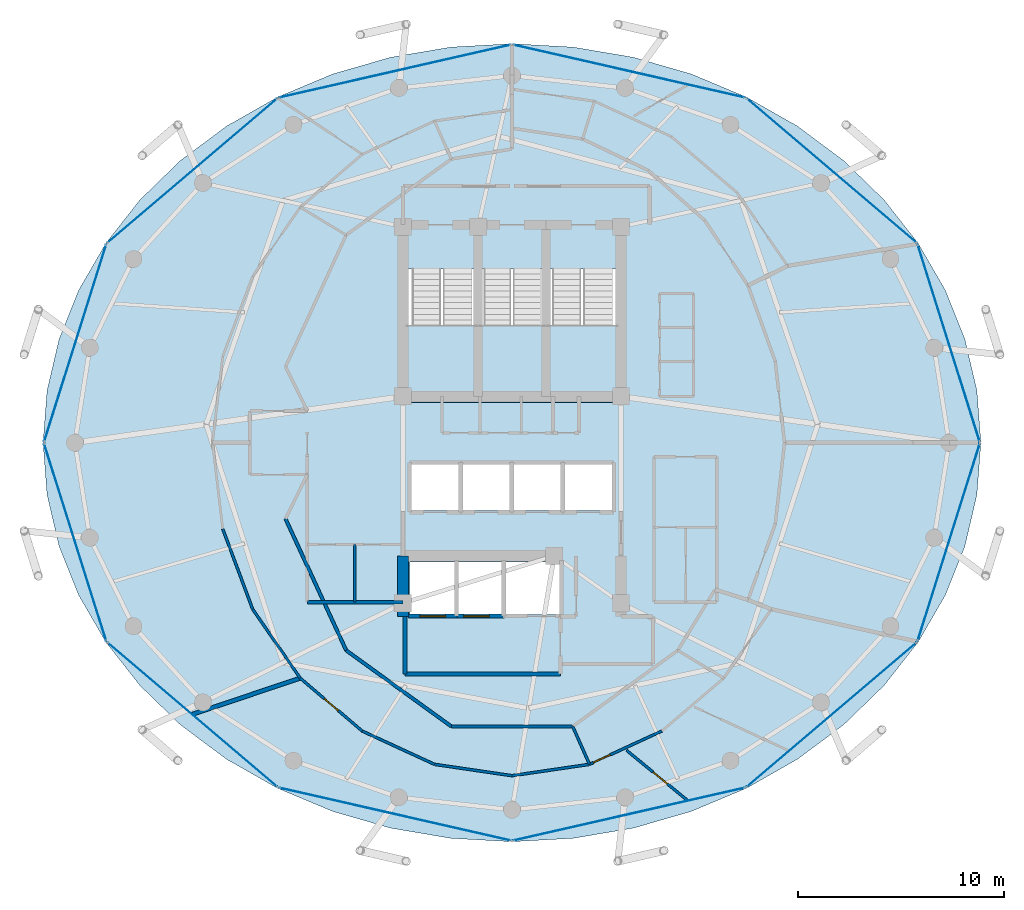
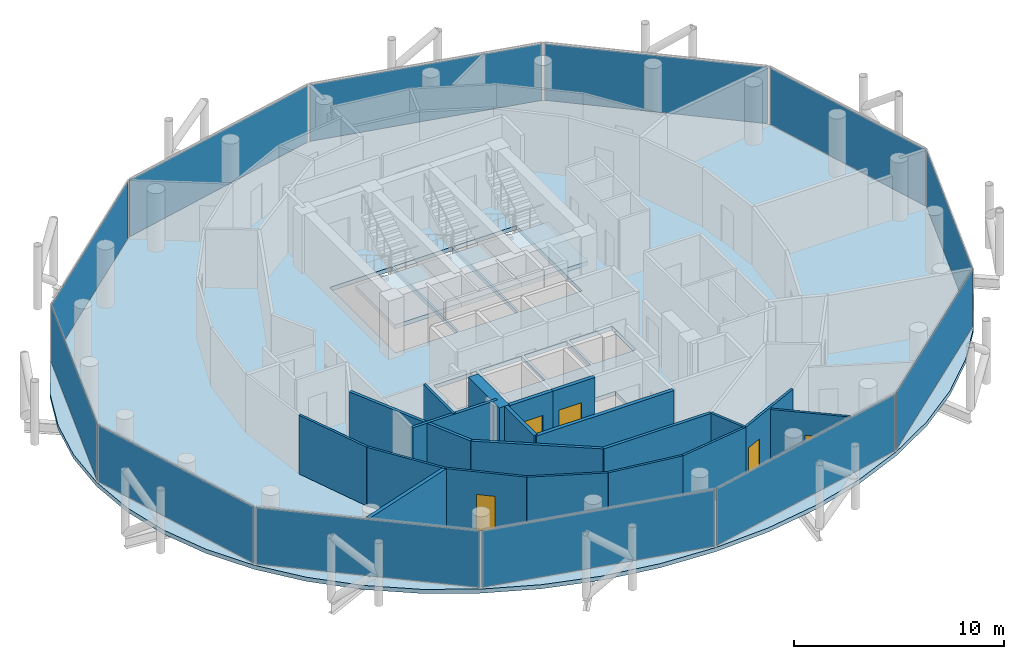
# One storey, part 22 of 27: 20 walls, 12 plates, 5 doors, 4 slabs, 5 openings, 15 elements without a shape of their own.
"""IFC4 building model written with IfcOpenShell, lengths in metres."""

from ifc_helpers import new_model, si_unit, direction, frame, frame_2d, origin, origin_2d, place, context, subcontext, project, spatial, polyline, rectangle, outline, extrude, material, layer, layer_set, type_object, element, fill, aggregate, save


model = new_model("IFC4")

# Units and contexts
model_context = context("Model", 3, precision=1e-05, world=origin(), true_north=direction((0.0, 1.0)))
body_context = subcontext(model_context, "Body", "Model", "MODEL_VIEW")
ifc_project = project(units=[si_unit("LENGTHUNIT", "METRE"), si_unit("AREAUNIT", "SQUARE_METRE"), si_unit("VOLUMEUNIT", "CUBIC_METRE"), si_unit("PLANEANGLEUNIT", "RADIAN"), si_unit("MASSUNIT", "GRAM", prefix="KILO")], contexts=[model_context])

# Site, building, storey
site_placement = place(None, origin())
site = spatial("IfcSite", under=ifc_project, at=site_placement, CompositionType="ELEMENT")
building_placement = place(site_placement, origin())
building = spatial("IfcBuilding", under=site, at=building_placement, Name="Nuhasar Tower", CompositionType="ELEMENT")
storey_placement = place(building_placement, frame((0.0, 0.0, 233.699951171875)))
storey = spatial("IfcBuildingStorey", under=building, at=storey_placement, Name="L57", CompositionType="ELEMENT", Elevation=233.699951171875)

# Curtain wall, plate
ifc_material_1 = material(Name="Aluminium 6063-T6", Category="aluminium")
ifc_layer_1 = layer(ifc_material_1, 0.18994140625)
ifc_layer_set_1 = layer_set([ifc_layer_1], Name="Aluminium 6063-T6")
curtain_wall_type = type_object("IfcCurtainWallType", Name="CW-Z3-RES", PredefinedType="NOTDEFINED", material=ifc_layer_set_1)
curtain_wall_1_placement = place(storey_placement, origin())
curtain_wall_1 = element("IfcCurtainWall", 1, at=curtain_wall_1_placement, inside=storey, type_object=curtain_wall_type, Name="L57 Unitised Curtain Wall 01", PredefinedType="NOTDEFINED")
ifc_material_2 = material(Name="Glass Double Low-E", Category="glass")
ifc_layer_2 = layer(ifc_material_2, 0.028076171875)
ifc_layer_set_2 = layer_set([ifc_layer_2], Name="Glass Double Low-E")
plate_type = type_object("IfcPlateType", Name="CW-PANEL-GLZ", PredefinedType="CURTAIN_PANEL", material=ifc_layer_set_2)
plate_1_placement = place(storey_placement, frame((60.235595703125, 31.639892578125, 0.06494140625), z_axis=(0.0, 0.0, 1.0), x_axis=(-0.30042864553, 0.95380429279, 0.0)))
plate_1 = element("IfcPlate", 2, at=plate_1_placement, type_object=plate_type, Name="CW-Z3 panel 1.1", PredefinedType="CURTAIN_PANEL", context=body_context, shape_type="SweptSolid", body=[
    extrude(rectangle(XDim=10.018798828125, YDim=0.028076171875, at=origin_2d()), origin(), (0.0, 0.0, 1.0), 3.280029296875),
])
aggregate(curtain_wall_1, [plate_1])

curtain_wall_2_placement = place(storey_placement, origin())
curtain_wall_2 = element("IfcCurtainWall", 3, at=curtain_wall_2_placement, inside=storey, type_object=curtain_wall_type, Name="L57 Unitised Curtain Wall 02", PredefinedType="NOTDEFINED")
plate_2_placement = place(storey_placement, frame((54.54541015625, 40.02294921875, 0.06494140625), z_axis=(0.0, 0.0, 1.0), x_axis=(-0.761729472562, 0.64789521578, 0.0)))
plate_2 = element("IfcPlate", 4, at=plate_2_placement, type_object=plate_type, Name="CW-Z3 panel 1.1", PredefinedType="CURTAIN_PANEL", context=body_context, shape_type="SweptSolid", body=[
    extrude(rectangle(XDim=10.806884765625, YDim=0.028076171875, at=origin_2d()), origin(), (0.0, 0.0, 1.0), 3.280029296875),
])
aggregate(curtain_wall_2, [plate_2])

curtain_wall_3_placement = place(storey_placement, origin())
curtain_wall_3 = element("IfcCurtainWall", 5, at=curtain_wall_3_placement, inside=storey, type_object=curtain_wall_type, Name="L57 Unitised Curtain Wall 03", PredefinedType="NOTDEFINED")
plate_3_placement = place(storey_placement, frame((44.68994140625, 44.863037109375, 0.06494140625), z_axis=(0.0, 0.0, 1.0), x_axis=(-0.974991266926, 0.222243176313, 0.0)))
plate_3 = element("IfcPlate", 6, at=plate_3_placement, type_object=plate_type, Name="CW-Z3 panel 1.1", PredefinedType="CURTAIN_PANEL", context=body_context, shape_type="SweptSolid", body=[
    extrude(rectangle(XDim=11.5419921875, YDim=0.028076171875, at=origin_2d()), origin(), (0.0, 0.0, 1.0), 3.280029296875),
])
aggregate(curtain_wall_3, [plate_3])

curtain_wall_4_placement = place(storey_placement, origin())
curtain_wall_4 = element("IfcCurtainWall", 7, at=curtain_wall_4_placement, inside=storey, type_object=curtain_wall_type, Name="L57 Unitised Curtain Wall 04", PredefinedType="NOTDEFINED")
plate_4_placement = place(storey_placement, frame((33.31005859375, 44.863037109375, 0.06494140625), z_axis=(0.0, 0.0, 1.0), x_axis=(-0.974991266926, -0.222243176313, 0.0)))
plate_4 = element("IfcPlate", 8, at=plate_4_placement, type_object=plate_type, Name="CW-Z3 panel 1.1", PredefinedType="CURTAIN_PANEL", context=body_context, shape_type="SweptSolid", body=[
    extrude(rectangle(XDim=11.5419921875, YDim=0.028076171875, at=origin_2d()), origin(), (0.0, 0.0, 1.0), 3.280029296875),
])
aggregate(curtain_wall_4, [plate_4])

curtain_wall_5_placement = place(storey_placement, origin())
curtain_wall_5 = element("IfcCurtainWall", 9, at=curtain_wall_5_placement, inside=storey, type_object=curtain_wall_type, Name="L57 Unitised Curtain Wall 05", PredefinedType="NOTDEFINED")
plate_5_placement = place(storey_placement, frame((23.45458984375, 40.02294921875, 0.06494140625), z_axis=(0.0, 0.0, 1.0), x_axis=(-0.761729472562, -0.64789521578, 0.0)))
plate_5 = element("IfcPlate", 10, at=plate_5_placement, type_object=plate_type, Name="CW-Z3 panel 1.1", PredefinedType="CURTAIN_PANEL", context=body_context, shape_type="SweptSolid", body=[
    extrude(rectangle(XDim=10.806884765625, YDim=0.028076171875, at=origin_2d()), origin(), (0.0, 0.0, 1.0), 3.280029296875),
])
aggregate(curtain_wall_5, [plate_5])

curtain_wall_6_placement = place(storey_placement, origin())
curtain_wall_6 = element("IfcCurtainWall", 11, at=curtain_wall_6_placement, inside=storey, type_object=curtain_wall_type, Name="L57 Unitised Curtain Wall 06", PredefinedType="NOTDEFINED")
plate_6_placement = place(storey_placement, frame((17.764404296875, 31.639892578125, 0.06494140625), z_axis=(0.0, 0.0, 1.0), x_axis=(-0.30042864553, -0.95380429279, 0.0)))
plate_6 = element("IfcPlate", 12, at=plate_6_placement, type_object=plate_type, Name="CW-Z3 panel 1.1", PredefinedType="CURTAIN_PANEL", context=body_context, shape_type="SweptSolid", body=[
    extrude(rectangle(XDim=10.018798828125, YDim=0.028076171875, at=origin_2d()), origin(), (0.0, 0.0, 1.0), 3.280029296875),
])
aggregate(curtain_wall_6, [plate_6])

curtain_wall_7_placement = place(storey_placement, origin())
curtain_wall_7 = element("IfcCurtainWall", 13, at=curtain_wall_7_placement, inside=storey, type_object=curtain_wall_type, Name="L57 Unitised Curtain Wall 07", PredefinedType="NOTDEFINED")
plate_7_placement = place(storey_placement, frame((17.764404296875, 21.9599609375, 0.06494140625), z_axis=(0.0, 0.0, 1.0), x_axis=(0.30042864553, -0.95380429279, 0.0)))
plate_7 = element("IfcPlate", 14, at=plate_7_placement, type_object=plate_type, Name="CW-Z3 panel 1.1", PredefinedType="CURTAIN_PANEL", context=body_context, shape_type="SweptSolid", body=[
    extrude(rectangle(XDim=10.018798828125, YDim=0.028076171875, at=origin_2d()), origin(), (0.0, 0.0, 1.0), 3.280029296875),
])
aggregate(curtain_wall_7, [plate_7])

curtain_wall_8_placement = place(storey_placement, origin())
curtain_wall_8 = element("IfcCurtainWall", 15, at=curtain_wall_8_placement, inside=storey, type_object=curtain_wall_type, Name="L57 Unitised Curtain Wall 08", PredefinedType="NOTDEFINED")
plate_8_placement = place(storey_placement, frame((23.45458984375, 13.576904296875, 0.06494140625), z_axis=(0.0, 0.0, 1.0), x_axis=(0.761729472562, -0.64789521578, 0.0)))
plate_8 = element("IfcPlate", 16, at=plate_8_placement, type_object=plate_type, Name="CW-Z3 panel 1.1", PredefinedType="CURTAIN_PANEL", context=body_context, shape_type="SweptSolid", body=[
    extrude(rectangle(XDim=10.806884765625, YDim=0.028076171875, at=origin_2d()), origin(), (0.0, 0.0, 1.0), 3.280029296875),
])
aggregate(curtain_wall_8, [plate_8])

curtain_wall_9_placement = place(storey_placement, origin())
curtain_wall_9 = element("IfcCurtainWall", 17, at=curtain_wall_9_placement, inside=storey, type_object=curtain_wall_type, Name="L57 Unitised Curtain Wall 09", PredefinedType="NOTDEFINED")
plate_9_placement = place(storey_placement, frame((33.31005859375, 8.737060546875, 0.06494140625), z_axis=(0.0, 0.0, 1.0), x_axis=(0.974991266926, -0.222243176313, 0.0)))
plate_9 = element("IfcPlate", 18, at=plate_9_placement, type_object=plate_type, Name="CW-Z3 panel 1.1", PredefinedType="CURTAIN_PANEL", context=body_context, shape_type="SweptSolid", body=[
    extrude(rectangle(XDim=11.5419921875, YDim=0.028076171875, at=origin_2d()), origin(), (0.0, 0.0, 1.0), 3.280029296875),
])
aggregate(curtain_wall_9, [plate_9])

curtain_wall_10_placement = place(storey_placement, origin())
curtain_wall_10 = element("IfcCurtainWall", 19, at=curtain_wall_10_placement, inside=storey, type_object=curtain_wall_type, Name="L57 Unitised Curtain Wall 10", PredefinedType="NOTDEFINED")
plate_10_placement = place(storey_placement, frame((44.68994140625, 8.737060546875, 0.06494140625), z_axis=(0.0, 0.0, 1.0), x_axis=(0.974991266926, 0.222243176313, 0.0)))
plate_10 = element("IfcPlate", 20, at=plate_10_placement, type_object=plate_type, Name="CW-Z3 panel 1.1", PredefinedType="CURTAIN_PANEL", context=body_context, shape_type="SweptSolid", body=[
    extrude(rectangle(XDim=11.5419921875, YDim=0.028076171875, at=origin_2d()), origin(), (0.0, 0.0, 1.0), 3.280029296875),
])
aggregate(curtain_wall_10, [plate_10])

curtain_wall_11_placement = place(storey_placement, origin())
curtain_wall_11 = element("IfcCurtainWall", 21, at=curtain_wall_11_placement, inside=storey, type_object=curtain_wall_type, Name="L57 Unitised Curtain Wall 11", PredefinedType="NOTDEFINED")
plate_11_placement = place(storey_placement, frame((54.54541015625, 13.576904296875, 0.06494140625), z_axis=(0.0, 0.0, 1.0), x_axis=(0.761729472562, 0.64789521578, 0.0)))
plate_11 = element("IfcPlate", 22, at=plate_11_placement, type_object=plate_type, Name="CW-Z3 panel 1.1", PredefinedType="CURTAIN_PANEL", context=body_context, shape_type="SweptSolid", body=[
    extrude(rectangle(XDim=10.806884765625, YDim=0.028076171875, at=origin_2d()), origin(), (0.0, 0.0, 1.0), 3.280029296875),
])
aggregate(curtain_wall_11, [plate_11])

curtain_wall_12_placement = place(storey_placement, origin())
curtain_wall_12 = element("IfcCurtainWall", 23, at=curtain_wall_12_placement, inside=storey, type_object=curtain_wall_type, Name="L57 Unitised Curtain Wall 12", PredefinedType="NOTDEFINED")
plate_12_placement = place(storey_placement, frame((60.235595703125, 21.9599609375, 0.06494140625), z_axis=(0.0, 0.0, 1.0), x_axis=(0.30042864553, 0.95380429279, 0.0)))
plate_12 = element("IfcPlate", 24, at=plate_12_placement, type_object=plate_type, Name="CW-Z3 panel 1.1", PredefinedType="CURTAIN_PANEL", context=body_context, shape_type="SweptSolid", body=[
    extrude(rectangle(XDim=10.018798828125, YDim=0.028076171875, at=origin_2d()), origin(), (0.0, 0.0, 1.0), 3.280029296875),
])
aggregate(curtain_wall_12, [plate_12])

# Stair, slab
ifc_material_3 = material(Name="Concrete C45/55", Category="concrete")
stair_type_1 = type_object("IfcStairType", Name="STR-ST-01-2F-22R-1659", PredefinedType="HALF_TURN_STAIR", material=ifc_material_3)
stair_1_placement = place(storey_placement, origin())
stair_1 = element("IfcStair", 25, at=stair_1_placement, inside=storey, type_object=stair_type_1, Name="L57 Exit Stair ST-01", PredefinedType="HALF_TURN_STAIR")
ifc_layer_3 = layer(ifc_material_3, 0.239990234375)
ifc_layer_set_3 = layer_set([ifc_layer_3], Name="Concrete C45/55")
slab_type_1 = type_object("IfcSlabType", Name="SLB-STAIR-LND-240", PredefinedType="LANDING", material=ifc_layer_set_3)
slab_1_placement = place(storey_placement, frame((0.0, 0.0, 1.5849609375)))
slab_1 = element("IfcSlab", 26, at=slab_1_placement, type_object=slab_type_1, Name="ST-01 landing 1", PredefinedType="LANDING", context=body_context, shape_type="SweptSolid", body=[
    extrude(outline(polyline([(33.699951171875, 28.75), (37.35009765625, 28.75), (37.35009765625, 32.52001953125), (33.699951171875, 32.52001953125), (33.699951171875, 28.75)])), origin(), (0.0, 0.0, 1.0), 0.239990234375),
])
aggregate(stair_1, [slab_1])

stair_type_2 = type_object("IfcStairType", Name="STR-ST-03-2F-22R-1659", PredefinedType="HALF_TURN_STAIR", material=ifc_material_3)
stair_2_placement = place(storey_placement, origin())
stair_2 = element("IfcStair", 27, at=stair_2_placement, inside=storey, type_object=stair_type_2, Name="L57 Exit Stair ST-03", PredefinedType="HALF_TURN_STAIR")
slab_2_placement = place(storey_placement, frame((0.0, 0.0, 1.5849609375)))
slab_2 = element("IfcSlab", 28, at=slab_2_placement, type_object=slab_type_1, Name="ST-03 landing 1", PredefinedType="LANDING", context=body_context, shape_type="SweptSolid", body=[
    extrude(outline(polyline([(37.35009765625, 28.75), (40.64990234375, 28.75), (40.64990234375, 32.52001953125), (37.35009765625, 32.52001953125), (37.35009765625, 28.75)])), origin(), (0.0, 0.0, 1.0), 0.239990234375),
])
aggregate(stair_2, [slab_2])

stair_type_3 = type_object("IfcStairType", Name="STR-ST-02-2F-22R-1659", PredefinedType="HALF_TURN_STAIR", material=ifc_material_3)
stair_3_placement = place(storey_placement, origin())
stair_3 = element("IfcStair", 29, at=stair_3_placement, inside=storey, type_object=stair_type_3, Name="L57 Exit Stair ST-02", PredefinedType="HALF_TURN_STAIR")
slab_3_placement = place(storey_placement, frame((0.0, 0.0, 1.5849609375)))
slab_3 = element("IfcSlab", 30, at=slab_3_placement, type_object=slab_type_1, Name="ST-02 landing 1", PredefinedType="LANDING", context=body_context, shape_type="SweptSolid", body=[
    extrude(outline(polyline([(40.64990234375, 28.75), (44.300048828125, 28.75), (44.300048828125, 32.52001953125), (40.64990234375, 32.52001953125), (40.64990234375, 28.75)])), origin(), (0.0, 0.0, 1.0), 0.239990234375),
])
aggregate(stair_3, [slab_3])

# Slab
ifc_layer_4 = layer(ifc_material_3, 0.239990234375)
ifc_layer_set_4 = layer_set([ifc_layer_4], Name="Concrete C45/55")
slab_type_2 = type_object("IfcSlabType", Name="SLB-Z3-240", PredefinedType="FLOOR", material=ifc_layer_set_4)
slab_4_placement = place(storey_placement, frame((0.0, 0.0, -0.239990234375)))
element("IfcSlab", 31, at=slab_4_placement, inside=storey, type_object=slab_type_2, Name="L57 Structural Slab", PredefinedType="FLOOR", context=body_context, shape_type="SweptSolid", body=[
    extrude(outline(polyline([(61.800048828125, 26.800048828125), (61.60498046875, 29.33203125), (61.02294921875, 31.821044921875), (60.06396484375, 34.22412109375), (58.7451171875, 36.5), (57.087890625, 38.610107421875), (55.1220703125, 40.51806640625), (52.8798828125, 42.19091796875), (50.39990234375, 43.60107421875), (47.72509765625, 44.722900390625), (44.90087890625, 45.5390625), (41.97607421875, 46.033935546875), (39.0, 46.199951171875), (36.02392578125, 46.033935546875), (33.09912109375, 45.5390625), (30.27490234375, 44.722900390625), (27.60009765625, 43.60107421875), (25.1201171875, 42.19091796875), (22.8779296875, 40.51806640625), (20.912109375, 38.610107421875), (19.2548828125, 36.5), (17.93603515625, 34.22412109375), (16.97705078125, 31.821044921875), (16.39501953125, 29.33203125), (16.199951171875, 26.800048828125), (16.39501953125, 24.26806640625), (16.97705078125, 21.779052734375), (17.93603515625, 19.3759765625), (19.2548828125, 17.10009765625), (20.912109375, 14.989990234375), (22.8779296875, 13.08203125), (25.1201171875, 11.408935546875), (27.60009765625, 9.9990234375), (30.27490234375, 8.876953125), (33.09912109375, 8.06103515625), (36.02392578125, 7.56591796875), (39.0, 7.39990234375), (41.97607421875, 7.56591796875), (44.90087890625, 8.06103515625), (47.72509765625, 8.876953125), (50.39990234375, 9.9990234375), (52.8798828125, 11.408935546875), (55.1220703125, 13.08203125), (57.087890625, 14.989990234375), (58.7451171875, 17.10009765625), (60.06396484375, 19.3759765625), (61.02294921875, 21.779052734375), (61.60498046875, 24.26806640625), (61.800048828125, 26.800048828125)]), holes=[polyline([(33.8798828125, 35.25), (37.300048828125, 35.25), (37.300048828125, 29.0), (33.8798828125, 29.0), (33.8798828125, 35.25)]), polyline([(37.39990234375, 35.25), (40.60009765625, 35.25), (40.60009765625, 29.0), (37.39990234375, 29.0), (37.39990234375, 35.25)]), polyline([(40.699951171875, 35.25), (44.1201171875, 35.25), (44.1201171875, 29.0), (40.699951171875, 29.0), (40.699951171875, 35.25)]), polyline([(34.10009765625, 25.75), (36.43994140625, 25.75), (36.43994140625, 23.5), (34.10009765625, 23.5), (34.10009765625, 25.75)]), polyline([(36.580078125, 25.75), (38.919921875, 25.75), (38.919921875, 23.5), (36.580078125, 23.5), (36.580078125, 25.75)]), polyline([(39.06005859375, 25.75), (41.39990234375, 25.75), (41.39990234375, 23.5), (39.06005859375, 23.5), (39.06005859375, 25.75)]), polyline([(41.5400390625, 25.75), (43.8798828125, 25.75), (43.8798828125, 23.5), (41.5400390625, 23.5), (41.5400390625, 25.75)]), polyline([(34.050048828125, 21.0), (36.25, 21.0), (36.25, 18.449951171875), (34.050048828125, 18.449951171875), (34.050048828125, 21.0)]), polyline([(36.35009765625, 21.0), (38.550048828125, 21.0), (38.550048828125, 18.449951171875), (36.35009765625, 18.449951171875), (36.35009765625, 21.0)]), polyline([(38.64990234375, 21.0), (41.320068359375, 21.0), (41.320068359375, 18.449951171875), (38.64990234375, 18.449951171875), (38.64990234375, 21.0)])]), origin(), (0.0, 0.0, 1.0), 0.239990234375),
])

# Walls
ifc_material_4 = material(Name="Concrete C55/67", Category="concrete")
ifc_layer_5 = layer(ifc_material_4, 0.550048828125)
ifc_layer_set_5 = layer_set([ifc_layer_5], Name="Concrete C55/67")
wall_type_1 = type_object("IfcWallType", Name="WL-CORE-550", PredefinedType="SHEAR", material=ifc_layer_set_5)
wall_1_placement = place(storey_placement, frame((33.699951171875, 18.35009765625, 0.0), z_axis=(0.0, 0.0, 1.0), x_axis=(0.0, 1.0, 0.0)))
element("IfcWall", 32, at=wall_1_placement, inside=storey, type_object=wall_type_1, Name="L57 Core Shear Wall CW-SW CW-550", PredefinedType="SHEAR", context=body_context, shape_type="SweptSolid", body=[
    extrude(rectangle(XDim=2.949951171875, YDim=0.550048828125, at=frame_2d((1.47509765625, 0.0))), origin(), (0.0, 0.0, 1.0), 3.41015625),
])
ifc_material_5 = material(Name="Gypsum Board", Category="gypsum")
ifc_layer_6 = layer(ifc_material_5, 0.159912109375)
ifc_layer_set_6 = layer_set([ifc_layer_6], Name="Gypsum Board")
wall_type_2 = type_object("IfcWallType", Name="WL-CORR-160", PredefinedType="PARTITIONING", material=ifc_layer_set_6)
wall_2_placement = place(storey_placement, frame((29.050048828125, 19.050048828125, 0.0), z_axis=(0.0, 0.0, 1.0), x_axis=(1.0, 0.0, 0.0)))
element("IfcWall", 33, at=wall_2_placement, inside=storey, type_object=wall_type_2, Name="L57 Interior Partition RECL-B1-S", PredefinedType="PARTITIONING", context=body_context, shape_type="SweptSolid", body=[
    extrude(rectangle(XDim=4.64990234375, YDim=0.159912109375, at=frame_2d((2.324951171875, 0.0))), origin(), (0.0, 0.0, 1.0), 3.41015625),
])
wall_3_placement = place(storey_placement, frame((27.988037109375, 23.10400390625, 0.0), z_axis=(0.0, 0.0, 1.0), x_axis=(0.418656179426, -0.908144814128, 0.0)))
element("IfcWall", 34, at=wall_3_placement, inside=storey, type_object=wall_type_2, Name="L57 Interior Partition UWEST-CORE-S1-26", PredefinedType="PARTITIONING", context=body_context, shape_type="SweptSolid", body=[
    extrude(rectangle(XDim=7.048583984375, YDim=0.159912109375, at=frame_2d((3.5244140625, 0.0))), origin(), (0.0, 0.0, 1.0), 3.41015625),
])
wall_4_placement = place(storey_placement, frame((30.93896484375, 16.702880859375, 0.0), z_axis=(0.0, 0.0, 1.0), x_axis=(0.810290119061, -0.586028943784, 0.0)))
element("IfcWall", 35, at=wall_4_placement, inside=storey, type_object=wall_type_2, Name="L57 Interior Partition UWEST-CORE-S1-30", PredefinedType="PARTITIONING", context=body_context, shape_type="SweptSolid", body=[
    extrude(rectangle(XDim=6.306396484375, YDim=0.159912109375, at=frame_2d((3.1533203125, 0.0))), origin(), (0.0, 0.0, 1.0), 3.41015625),
])
wall_5_placement = place(storey_placement, frame((36.049072265625, 13.007080078125, 0.0), z_axis=(0.0, 0.0, 1.0), x_axis=(1.0, 0.0, 0.0)))
element("IfcWall", 36, at=wall_5_placement, inside=storey, type_object=wall_type_2, Name="L57 Interior Partition UWEST-CORE-S1-34", PredefinedType="PARTITIONING", context=body_context, shape_type="SweptSolid", body=[
    extrude(rectangle(XDim=5.90185546875, YDim=0.159912109375, at=frame_2d((2.950927734375, 0.0))), origin(), (0.0, 0.0, 1.0), 3.41015625),
])
ifc_layer_7 = layer(ifc_material_3, 0.199951171875)
ifc_layer_set_7 = layer_set([ifc_layer_7], Name="Concrete C45/55")
wall_type_3 = type_object("IfcWallType", Name="WL-LOBBY-200", PredefinedType="SOLIDWALL", material=ifc_layer_set_7)
wall_6_placement = place(storey_placement, frame((33.800048828125, 15.550048828125, 0.0), z_axis=(0.0, 0.0, 1.0), x_axis=(1.0, 0.0, 0.0)))
element("IfcWall", 37, at=wall_6_placement, inside=storey, type_object=wall_type_3, Name="L57 Interior Partition FFL-S", PredefinedType="SOLIDWALL", context=body_context, shape_type="SweptSolid", body=[
    extrude(rectangle(XDim=7.550048828125, YDim=0.199951171875, at=frame_2d((3.77490234375, 0.0))), origin(), (0.0, 0.0, 1.0), 3.41015625),
])
wall_7_placement = place(storey_placement, frame((33.800048828125, 15.550048828125, 0.0), z_axis=(0.0, 0.0, 1.0), x_axis=(0.0, 1.0, 0.0)))
element("IfcWall", 38, at=wall_7_placement, inside=storey, type_object=wall_type_3, Name="L57 Interior Partition FFL-W", PredefinedType="SOLIDWALL", context=body_context, shape_type="SweptSolid", body=[
    extrude(rectangle(XDim=2.800048828125, YDim=0.199951171875, at=frame_2d((1.39990234375, 0.0))), origin(), (0.0, 0.0, 1.0), 3.41015625),
])
ifc_layer_8 = layer(ifc_material_5, 0.125)
ifc_layer_set_8 = layer_set([ifc_layer_8], Name="Gypsum Board")
wall_type_4 = type_object("IfcWallType", Name="WL-PART-125", PredefinedType="PARTITIONING", material=ifc_layer_set_8)
wall_8_placement = place(storey_placement, frame((31.35009765625, 19.050048828125, 0.0), z_axis=(0.0, 0.0, 1.0), x_axis=(0.0, 1.0, 0.0)))
element("IfcWall", 39, at=wall_8_placement, inside=storey, type_object=wall_type_4, Name="L57 Interior Partition HKPK1-V", PredefinedType="PARTITIONING", context=body_context, shape_type="SweptSolid", body=[
    extrude(rectangle(XDim=2.800048828125, YDim=0.125, at=frame_2d((1.39990234375, 0.0))), origin(), (0.0, 0.0, 1.0), 3.41015625),
])
wall_9_placement = place(storey_placement, frame((24.93603515625, 22.610107421875, 0.0), z_axis=(0.0, 0.0, 1.0), x_axis=(0.349164501946, -0.9370614444, 0.0)))
element("IfcWall", 40, at=wall_9_placement, inside=storey, type_object=wall_type_4, Name="L57 Interior Partition USM-1-D-26", PredefinedType="PARTITIONING", context=body_context, shape_type="SweptSolid", body=[
    extrude(rectangle(XDim=4.167236328125, YDim=0.125, at=frame_2d((2.08349609375, 0.0))), origin(), (0.0, 0.0, 1.0), 3.41015625),
])
wall_10_placement = place(storey_placement, frame((26.39111328125, 18.705078125, 0.0), z_axis=(0.0, 0.0, 1.0), x_axis=(0.567987799291, -0.823036973566, 0.0)))
element("IfcWall", 41, at=wall_10_placement, inside=storey, type_object=wall_type_4, Name="L57 Interior Partition USM-1-D-28", PredefinedType="PARTITIONING", context=body_context, shape_type="SweptSolid", body=[
    extrude(rectangle(XDim=4.073974609375, YDim=0.125, at=frame_2d((2.037109375, 0.0))), origin(), (0.0, 0.0, 1.0), 3.41015625),
])

# Wall, opening, door
wall_11_placement = place(storey_placement, frame((46.280029296875, 12.779052734375, 0.0), z_axis=(0.0, 0.0, 1.0), x_axis=(-0.908348953741, -0.418213077555, 0.0)))
wall_11 = element("IfcWall", 42, at=wall_11_placement, inside=storey, type_object=wall_type_4, Name="L57 Interior Partition USM-2-K-38", PredefinedType="PARTITIONING", context=body_context, shape_type="SweptSolid", body=[
    extrude(rectangle(XDim=3.8662109375, YDim=0.125, at=frame_2d((1.93310546875, 0.0))), origin(), (0.0, 0.0, 1.0), 3.41015625),
])
opening_1_placement = place(wall_11_placement, frame((2.76611328125, 0.0, 0.0)))
opening_1 = element("IfcOpeningElement", 43, at=opening_1_placement, cuts=wall_11, Name="Opening DR-01", PredefinedType="OPENING", context=body_context, shape_type="SweptSolid", body=[
    extrude(rectangle(XDim=0.89990234375, YDim=2.10009765625, at=frame_2d((0.449951171875, 1.050048828125))), frame((0.0, 0.072509765625, 0.0), z_axis=(0.0, -1.0, 0.0), x_axis=(1.0, 0.0, 0.0)), (0.0, 0.0, 1.0), 0.14501953125),
])
ifc_material_6 = material(Name="Timber Oak", Category="wood")
door_type_1 = type_object("IfcDoorType", Name="DR-ROOM-900", OperationType="NOTDEFINED", PredefinedType="DOOR", material=ifc_material_6)
door_1_placement = place(opening_1_placement, origin())
door_1 = element("IfcDoor", 44, at=door_1_placement, inside=storey, type_object=door_type_1, Name="L57 South-West Sky Home Kitchen Door", OperationType="SINGLE_SWING_RIGHT", OverallHeight=2.10009765625, OverallWidth=0.89990234375, PredefinedType="DOOR", context=body_context, shape_type="SweptSolid", body=[
    extrude(rectangle(XDim=0.89990234375, YDim=2.10009765625, at=frame_2d((0.449951171875, 1.050048828125))), frame((0.0, 0.02490234375, 0.0), z_axis=(0.0, -1.0, 0.0), x_axis=(1.0, 0.0, 0.0)), (0.0, 0.0, 1.0), 0.050048828125),
])
fill(opening_1, door_1)

# Wall
wall_12_placement = place(storey_placement, frame((41.950927734375, 13.007080078125, 0.0), z_axis=(0.0, 0.0, 1.0), x_axis=(0.404959394094, -0.914334670203, 0.0)))
element("IfcWall", 45, at=wall_12_placement, inside=storey, type_object=wall_type_4, Name="L57 Interior Partition USI-2-DK", PredefinedType="PARTITIONING", context=body_context, shape_type="SweptSolid", body=[
    extrude(rectangle(XDim=2.017822265625, YDim=0.125, at=frame_2d((1.0087890625, 0.0))), origin(), (0.0, 0.0, 1.0), 3.41015625),
])

# Wall, opening, door
wall_13_placement = place(storey_placement, frame((31.719970703125, 12.779052734375, 0.0), z_axis=(0.0, 0.0, 1.0), x_axis=(-0.760650552049, 0.64916156515, 0.0)))
wall_13 = element("IfcWall", 46, at=wall_13_placement, inside=storey, type_object=wall_type_4, Name="L57 Interior Partition USM-2-D-30", PredefinedType="PARTITIONING", context=body_context, shape_type="SweptSolid", body=[
    extrude(rectangle(XDim=3.963623046875, YDim=0.125, at=frame_2d((1.98193359375, 0.0))), origin(), (0.0, 0.0, 1.0), 3.41015625),
])
opening_2_placement = place(wall_13_placement, frame((1.531982421875, 0.0, 0.0)))
opening_2 = element("IfcOpeningElement", 47, at=opening_2_placement, cuts=wall_13, Name="Opening DR-01", PredefinedType="OPENING", context=body_context, shape_type="SweptSolid", body=[
    extrude(rectangle(XDim=0.89990234375, YDim=2.10009765625, at=frame_2d((0.449951171875, 1.050048828125))), frame((0.0, 0.072509765625, 0.0), z_axis=(0.0, -1.0, 0.0), x_axis=(1.0, 0.0, 0.0)), (0.0, 0.0, 1.0), 0.14501953125),
])
door_2_placement = place(opening_2_placement, origin())
door_2 = element("IfcDoor", 48, at=door_2_placement, inside=storey, type_object=door_type_1, Name="L57 South-West Sky Home Living Door", OperationType="SINGLE_SWING_LEFT", OverallHeight=2.10009765625, OverallWidth=0.89990234375, PredefinedType="DOOR", context=body_context, shape_type="SweptSolid", body=[
    extrude(rectangle(XDim=0.89990234375, YDim=2.10009765625, at=frame_2d((0.449951171875, 1.050048828125))), frame((0.0, 0.02490234375, 0.0), z_axis=(0.0, -1.0, 0.0), x_axis=(1.0, 0.0, 0.0)), (0.0, 0.0, 1.0), 0.050048828125),
])
fill(opening_2, door_2)

# Walls
wall_14_placement = place(storey_placement, frame((31.719970703125, 12.779052734375, 0.0), z_axis=(0.0, 0.0, 1.0), x_axis=(0.908348953741, -0.418213077555, 0.0)))
element("IfcWall", 49, at=wall_14_placement, inside=storey, type_object=wall_type_4, Name="L57 Interior Partition USM-2-D-32", PredefinedType="PARTITIONING", context=body_context, shape_type="SweptSolid", body=[
    extrude(rectangle(XDim=3.8662109375, YDim=0.125, at=frame_2d((1.93310546875, 0.0))), origin(), (0.0, 0.0, 1.0), 3.41015625),
])
for number, where, z_axis, x_axis, name in (
    (50, (35.23193359375, 11.162109375, 0.0), (0.0, 0.0, 1.0), (0.98943932281, -0.144947668062, 0.0), "L57 Interior Partition USM-2-D-34"),
    (51, (39.0, 10.610107421875, 0.0), (0.0, 0.0, 1.0), (0.98943932281, 0.144947668062, 0.0), "L57 Interior Partition USM-2-D-36"),
):
    element("IfcWall", number, at=place(storey_placement, frame(where, z_axis=z_axis, x_axis=x_axis)), inside=storey, type_object=wall_type_4, Name=name, PredefinedType="PARTITIONING", context=body_context, shape_type="SweptSolid", body=[
        extrude(rectangle(XDim=3.808349609375, YDim=0.125, at=frame_2d((1.904296875, 0.0))), origin(), (0.0, 0.0, 1.0), 3.41015625),
    ])

# Wall, opening, door
wall_15_placement = place(storey_placement, frame((44.572021484375, 11.842041015625, 0.0), z_axis=(0.0, 0.0, 1.0), x_axis=(0.772485420773, -0.635032498927, 0.0)))
wall_15 = element("IfcWall", 52, at=wall_15_placement, inside=storey, type_object=wall_type_4, Name="L57 Interior Partition USO-2-B1", PredefinedType="PARTITIONING", context=body_context, shape_type="SweptSolid", body=[
    extrude(rectangle(XDim=3.81884765625, YDim=0.125, at=frame_2d((1.909423828125, 0.0))), origin(), (0.0, 0.0, 1.0), 3.41015625),
])
opening_3_placement = place(wall_15_placement, frame((1.660888671875, 0.0, 0.0)))
opening_3 = element("IfcOpeningElement", 53, at=opening_3_placement, cuts=wall_15, Name="Opening DR-01", PredefinedType="OPENING", context=body_context, shape_type="SweptSolid", body=[
    extrude(rectangle(XDim=0.89990234375, YDim=2.10009765625, at=frame_2d((0.449951171875, 1.050048828125))), frame((0.0, 0.072509765625, 0.0), z_axis=(0.0, -1.0, 0.0), x_axis=(1.0, 0.0, 0.0)), (0.0, 0.0, 1.0), 0.14501953125),
])
door_3_placement = place(opening_3_placement, origin())
door_3 = element("IfcDoor", 54, at=door_3_placement, inside=storey, type_object=door_type_1, Name="L57 South-West Sky Home Study Door", OperationType="SINGLE_SWING_RIGHT", OverallHeight=2.10009765625, OverallWidth=0.89990234375, PredefinedType="DOOR", context=body_context, shape_type="SweptSolid", body=[
    extrude(rectangle(XDim=0.89990234375, YDim=2.10009765625, at=frame_2d((0.449951171875, 1.050048828125))), frame((0.0, 0.02490234375, 0.0), z_axis=(0.0, -1.0, 0.0), x_axis=(1.0, 0.0, 0.0)), (0.0, 0.0, 1.0), 0.050048828125),
])
fill(opening_3, door_3)

ifc_layer_9 = layer(ifc_material_3, 0.199951171875)
ifc_layer_set_9 = layer_set([ifc_layer_9], Name="Concrete C45/55")
wall_type_5 = type_object("IfcWallType", Name="WL-SHAFT-200", PredefinedType="SOLIDWALL", material=ifc_layer_set_9)
wall_16_placement = place(storey_placement, frame((33.969970703125, 18.3701171875, 0.0), z_axis=(0.0, 0.0, 1.0), x_axis=(1.0, 0.0, 0.0)))
wall_16 = element("IfcWall", 55, at=wall_16_placement, inside=storey, type_object=wall_type_5, Name="L57 Interior Partition SHF-FFL-01-S", PredefinedType="SOLIDWALL", context=body_context, shape_type="SweptSolid", body=[
    extrude(rectangle(XDim=2.360107421875, YDim=0.199951171875, at=frame_2d((1.18017578125, 0.0))), origin(), (0.0, 0.0, 1.0), 3.41015625),
])
opening_4_placement = place(wall_16_placement, frame((0.554931640625, 0.0, 0.0)))
opening_4 = element("IfcOpeningElement", 56, at=opening_4_placement, cuts=wall_16, Name="Opening LD-F01", PredefinedType="OPENING", context=body_context, shape_type="SweptSolid", body=[
    extrude(rectangle(XDim=1.25, YDim=2.199951171875, at=frame_2d((0.625, 1.10009765625))), frame((0.0, 0.10986328125, 0.0), z_axis=(0.0, -1.0, 0.0), x_axis=(1.0, 0.0, 0.0)), (0.0, 0.0, 1.0), 0.219970703125),
])
ifc_material_7 = material(Name="Stainless Steel 316L", Category="steel")
door_type_2 = type_object("IfcDoorType", Name="LD-FFL-1250", OperationType="DOUBLE_DOOR_SLIDING", PredefinedType="DOOR", material=ifc_material_7)
door_4_placement = place(opening_4_placement, origin())
door_4 = element("IfcDoor", 57, at=door_4_placement, inside=storey, type_object=door_type_2, Name="L57 Lift Landing Door FFL-01", OperationType="DOUBLE_DOOR_SLIDING", OverallHeight=2.199951171875, OverallWidth=1.25, PredefinedType="DOOR", context=body_context, shape_type="SweptSolid", body=[
    extrude(rectangle(XDim=1.25, YDim=2.199951171875, at=frame_2d((0.625, 1.10009765625))), frame((0.0, 0.02490234375, 0.0), z_axis=(0.0, -1.0, 0.0), x_axis=(1.0, 0.0, 0.0)), (0.0, 0.0, 1.0), 0.050048828125),
])
fill(opening_4, door_4)

wall_17_placement = place(storey_placement, frame((36.27001953125, 18.3701171875, 0.0), z_axis=(0.0, 0.0, 1.0), x_axis=(1.0, 0.0, 0.0)))
wall_17 = element("IfcWall", 58, at=wall_17_placement, inside=storey, type_object=wall_type_5, Name="L57 Interior Partition SHF-FFL-02-S", PredefinedType="SOLIDWALL", context=body_context, shape_type="SweptSolid", body=[
    extrude(rectangle(XDim=2.35986328125, YDim=0.199951171875, at=frame_2d((1.179931640625, 0.0))), origin(), (0.0, 0.0, 1.0), 3.41015625),
])
opening_5_placement = place(wall_17_placement, frame((0.3798828125, 0.0, 0.0)))
opening_5 = element("IfcOpeningElement", 59, at=opening_5_placement, cuts=wall_17, Name="Opening LD-F02", PredefinedType="OPENING", context=body_context, shape_type="SweptSolid", body=[
    extrude(rectangle(XDim=1.25, YDim=2.199951171875, at=frame_2d((0.625, 1.10009765625))), frame((0.0, 0.10986328125, 0.0), z_axis=(0.0, -1.0, 0.0), x_axis=(1.0, 0.0, 0.0)), (0.0, 0.0, 1.0), 0.219970703125),
])
door_5_placement = place(opening_5_placement, origin())
door_5 = element("IfcDoor", 60, at=door_5_placement, inside=storey, type_object=door_type_2, Name="L57 Lift Landing Door FFL-02", OperationType="DOUBLE_DOOR_SLIDING", OverallHeight=2.199951171875, OverallWidth=1.25, PredefinedType="DOOR", context=body_context, shape_type="SweptSolid", body=[
    extrude(rectangle(XDim=1.25, YDim=2.199951171875, at=frame_2d((0.625, 1.10009765625))), frame((0.0, 0.02490234375, 0.0), z_axis=(0.0, -1.0, 0.0), x_axis=(1.0, 0.0, 0.0)), (0.0, 0.0, 1.0), 0.050048828125),
])
fill(opening_5, door_5)

# Wall
ifc_material_8 = material(Name="Concrete C40/50 precast", Category="concrete")
ifc_layer_10 = layer(ifc_material_8, 0.199951171875)
ifc_layer_set_10 = layer_set([ifc_layer_10], Name="Concrete C40/50 precast")
wall_type_6 = type_object("IfcWallType", Name="WL-UNIT-200", PredefinedType="PARTITIONING", material=ifc_layer_set_10)
wall_18_placement = place(storey_placement, frame((28.705078125, 15.35205078125, 0.0), z_axis=(0.0, 0.0, 1.0), x_axis=(-0.94819491859, -0.317689150524, 0.0)))
element("IfcWall", 61, at=wall_18_placement, inside=storey, type_object=wall_type_6, Name="L57 Interior Partition UWEST-PARTY-OUT", PredefinedType="PARTITIONING", context=body_context, shape_type="SweptSolid", body=[
    extrude(rectangle(XDim=5.51171875, YDim=0.199951171875, at=frame_2d((2.755859375, 0.0))), origin(), (0.0, 0.0, 1.0), 3.41015625),
])

save(model, "model.ifc")
